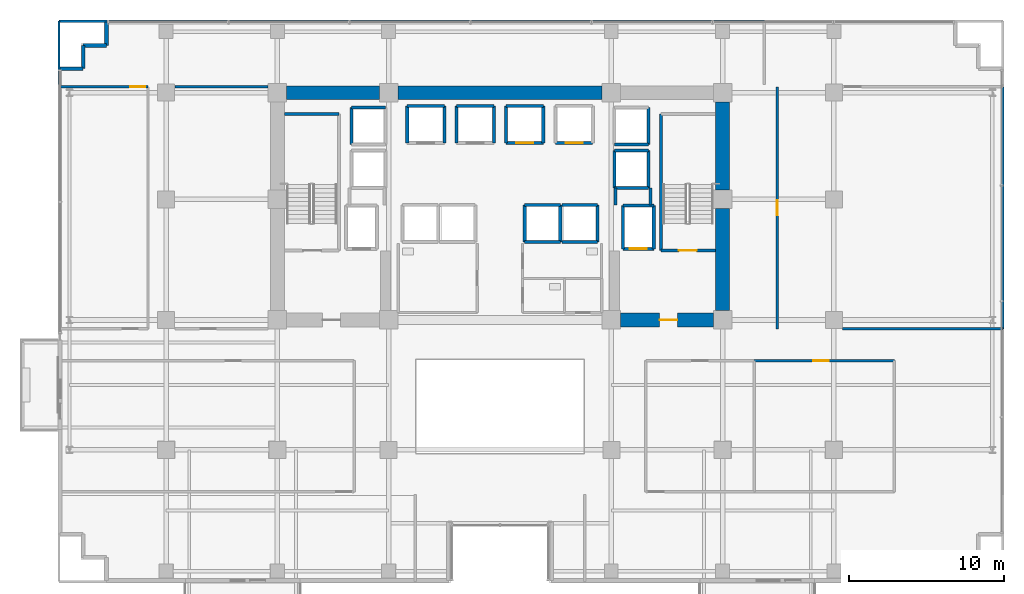
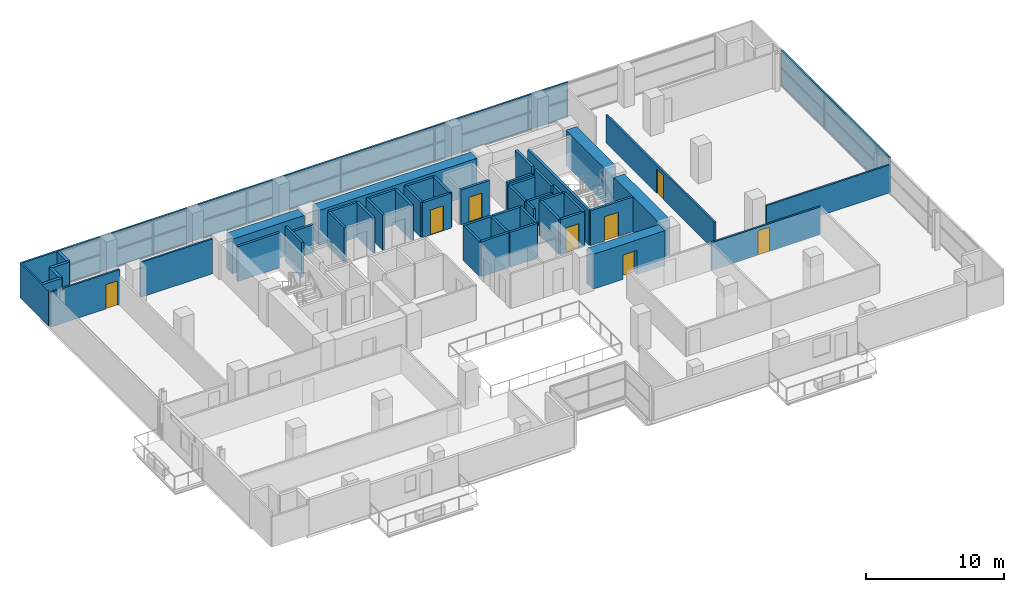
# One storey, part 26 of 31: 52 walls, 8 doors, 8 openings.
"""IFC4 building model written with IfcOpenShell, lengths in metres."""

from ifc_helpers import new_model, si_unit, direction, frame, frame_2d, origin, place, context, subcontext, project, spatial, rectangle, extrude, source, transform, mapped, material, layer, layer_set, type_object, element, fill, save


model = new_model("IFC4")

# Units and contexts
model_context = context("Model", 3, precision=1e-05, world=origin(), true_north=direction((0.0, 1.0)))
body_context = subcontext(model_context, "Body", "Model", "MODEL_VIEW")
ifc_project = project(units=[si_unit("LENGTHUNIT", "METRE"), si_unit("AREAUNIT", "SQUARE_METRE"), si_unit("VOLUMEUNIT", "CUBIC_METRE"), si_unit("PLANEANGLEUNIT", "RADIAN"), si_unit("MASSUNIT", "GRAM", prefix="KILO")], contexts=[model_context])

# Site, building, storey
site_placement = place(None, origin())
site = spatial("IfcSite", under=ifc_project, at=site_placement, CompositionType="ELEMENT")
building_placement = place(site_placement, origin())
building = spatial("IfcBuilding", under=site, at=building_placement, Name="Zarnakvel Exchange Tower", CompositionType="ELEMENT")
storey_placement = place(building_placement, frame((0.0, 0.0, 60.39990234375)))
storey = spatial("IfcBuildingStorey", under=building, at=storey_placement, Name="L16", CompositionType="ELEMENT", Elevation=60.39990234375)

# Walls
ifc_material_1 = material(Name="Concrete C80/95", Category="concrete")
ifc_layer_1 = layer(ifc_material_1, 0.89990234375)
ifc_layer_set_1 = layer_set([ifc_layer_1], Name="Concrete C80/95")
wall_type_1 = type_object("IfcWallType", Name="CW-C1", PredefinedType="SHEAR", material=ifc_layer_set_1)
wall_1_placement = place(storey_placement, frame((-13.800048828125, 13.5, 0.0), z_axis=(0.0, 0.0, 1.0), x_axis=(1.0, 0.0, 0.0)))
element("IfcWall", 1, at=wall_1_placement, inside=storey, type_object=wall_type_1, Name="L16 Rear Core Shear Wall N1 (CW-C1)", PredefinedType="SHEAR", context=body_context, shape_type="SweptSolid", body=[
    extrude(rectangle(XDim=6.0, YDim=0.89990234375, at=frame_2d((3.0, 0.0))), origin(), (0.0, 0.0, 1.0), 3.0751953125),
])
wall_2_placement = place(storey_placement, frame((-6.60009765625, 13.5, 0.0), z_axis=(0.0, 0.0, 1.0), x_axis=(1.0, 0.0, 0.0)))
element("IfcWall", 2, at=wall_2_placement, inside=storey, type_object=wall_type_1, Name="L16 Rear Core Shear Wall N2 (CW-C1)", PredefinedType="SHEAR", context=body_context, shape_type="SweptSolid", body=[
    extrude(rectangle(XDim=13.2001953125, YDim=0.89990234375, at=frame_2d((6.60009765625, 0.0))), origin(), (0.0, 0.0, 1.0), 3.0751953125),
])
wall_3_placement = place(storey_placement, frame((14.39990234375, -0.60009765625, 0.0), z_axis=(0.0, 0.0, 1.0), x_axis=(0.0, 1.0, 0.0)))
element("IfcWall", 3, at=wall_3_placement, inside=storey, type_object=wall_type_1, Name="L16 Rear Core Shear Wall E1 (CW-C1)", PredefinedType="SHEAR", context=body_context, shape_type="SweptSolid", body=[
    extrude(rectangle(XDim=6.60009765625, YDim=0.89990234375, at=frame_2d((3.300048828125, 0.0))), origin(), (0.0, 0.0, 1.0), 3.0751953125),
])
wall_4_placement = place(storey_placement, frame((14.39990234375, 7.199951171875, 0.0), z_axis=(0.0, 0.0, 1.0), x_axis=(0.0, 1.0, 0.0)))
element("IfcWall", 4, at=wall_4_placement, inside=storey, type_object=wall_type_1, Name="L16 Rear Core Shear Wall E2 (CW-C1)", PredefinedType="SHEAR", context=body_context, shape_type="SweptSolid", body=[
    extrude(rectangle(XDim=5.699951171875, YDim=0.89990234375, at=frame_2d((2.85009765625, 0.0))), origin(), (0.0, 0.0, 1.0), 3.0751953125),
])

# Wall, opening, door
wall_5_placement = place(storey_placement, frame((13.800048828125, -1.199951171875, 0.0), z_axis=(0.0, 0.0, 1.0), x_axis=(-1.0, 0.0, 0.0)))
wall_5 = element("IfcWall", 5, at=wall_5_placement, inside=storey, type_object=wall_type_1, Name="L16 Rear Core Shear Wall SE (CW-C1)", PredefinedType="SHEAR", context=body_context, shape_type="SweptSolid", body=[
    extrude(rectangle(XDim=6.0, YDim=0.89990234375, at=frame_2d((3.0, 0.0))), origin(), (0.0, 0.0, 1.0), 3.0751953125),
])
opening_1_placement = place(wall_5_placement, frame((2.324951171875, 0.0, 0.0)))
opening_1 = element("IfcOpeningElement", 6, at=opening_1_placement, cuts=wall_5, Name="Opening D-L16-04", PredefinedType="OPENING", context=body_context, shape_type="SweptSolid", body=[
    extrude(rectangle(XDim=1.14990234375, YDim=2.14990234375, at=frame_2d((0.574951171875, 1.074951171875))), frame((0.0, 0.4599609375, 0.0), z_axis=(0.0, -1.0, 0.0), x_axis=(1.0, 0.0, 0.0)), (0.0, 0.0, 1.0), 0.919921875),
])
ifc_material_2 = material(Name="Painted Galvanised Steel S355", Category="steel")
door_type_1 = type_object("IfcDoorType", Name="DT-04", OperationType="NOTDEFINED", PredefinedType="DOOR", material=ifc_material_2)
shared_shape_1 = source(origin(), body_context, "Body", "SweptSolid", [
    extrude(rectangle(XDim=1.14990234375, YDim=2.14990234375, at=frame_2d((0.574951171875, 1.074951171875))), frame((0.0, 0.02490234375, 0.0), z_axis=(0.0, -1.0, 0.0), x_axis=(1.0, 0.0, 0.0)), (0.0, 0.0, 1.0), 0.050048828125),
])
door_1_placement = place(opening_1_placement, origin())
door_1 = element("IfcDoor", 7, at=door_1_placement, inside=storey, type_object=door_type_1, Name="L16 Firefighting Lobby East Door D-L16-04", OperationType="SINGLE_SWING_RIGHT", OverallHeight=2.14990234375, OverallWidth=1.14990234375, PredefinedType="DOOR", context=body_context, shape_type="MappedRepresentation", body=[
    mapped(shared_shape_1, transform((0.0, 0.0, 0.0), x_axis=(1.0, 0.0, 0.0), y_axis=(0.0, 1.0, 0.0), z_axis=(0.0, 0.0, 1.0), scale=1.0)),
])
fill(opening_1, door_1)

# Walls
ifc_material_3 = material(Name="Precast concrete C40/50", Category="concrete")
ifc_layer_2 = layer(ifc_material_3, 0.239990234375)
ifc_layer_set_2 = layer_set([ifc_layer_2], Name="Precast concrete C40/50")
wall_type_2 = type_object("IfcWallType", Name="EW-02", PredefinedType="SOLIDWALL", material=ifc_layer_set_2)
for number, where, z_axis, x_axis, name in (
    (8, (-26.9599609375, 15.06005859375, 0.0), (0.0, 0.0, 1.0), (-1.0, 0.0, 0.0), "L16 Exterior Precast Spandrel Wall EWC-L16-03 (EW-02)"),
    (9, (-26.9599609375, 16.56005859375, 0.0), (0.0, 0.0, 1.0), (0.0, -1.0, 0.0), "L16 Exterior Precast Spandrel Wall EWC-L16-04 (EW-02)"),
    (10, (-25.4599609375, 16.56005859375, 0.0), (0.0, 0.0, 1.0), (-1.0, 0.0, 0.0), "L16 Exterior Precast Spandrel Wall EWC-L16-05 (EW-02)"),
    (11, (-25.4599609375, 18.06005859375, 0.0), (0.0, 0.0, 1.0), (0.0, -1.0, 0.0), "L16 Exterior Precast Spandrel Wall EWC-L16-06 (EW-02)"),
):
    element("IfcWall", number, at=place(storey_placement, frame(where, z_axis=z_axis, x_axis=x_axis)), inside=storey, type_object=wall_type_2, Name=name, PredefinedType="SOLIDWALL", context=body_context, shape_type="SweptSolid", body=[
        extrude(rectangle(XDim=1.5, YDim=0.239990234375, at=frame_2d((0.75, 0.0))), origin(), (0.0, 0.0, 1.0), 3.0751953125),
    ])

# Wall, opening, door
ifc_material_4 = material(Name="Fire-Rated Gypsum Stud Partition", Category="gypsum")
ifc_layer_3 = layer(ifc_material_4, 0.14990234375)
ifc_layer_set_3 = layer_set([ifc_layer_3], Name="Fire-Rated Gypsum Stud Partition")
wall_type_3 = type_object("IfcWallType", Name="PT-01", PredefinedType="PARTITIONING", material=ifc_layer_set_3)
wall_6_placement = place(storey_placement, frame((16.444580078125, -3.830078125, 0.0), z_axis=(0.0, 0.0, 1.0), x_axis=(1.0, 0.0, 0.0)))
wall_6 = element("IfcWall", 12, at=wall_6_placement, inside=storey, type_object=wall_type_3, Name="L16 Partition Wall PWALL-L16-034 (PT-01)", PredefinedType="PARTITIONING", context=body_context, shape_type="SweptSolid", body=[
    extrude(rectangle(XDim=9.07080078125, YDim=0.14990234375, at=frame_2d((4.535400390625, 0.0))), origin(), (0.0, 0.0, 1.0), 2.465087890625),
])
opening_2_placement = place(wall_6_placement, frame((3.827392578125, 0.0, 0.0)))
opening_2 = element("IfcOpeningElement", 13, at=opening_2_placement, cuts=wall_6, Name="Opening D-L16-12", PredefinedType="OPENING", context=body_context, shape_type="SweptSolid", body=[
    extrude(rectangle(XDim=0.97998046875, YDim=2.14990234375, at=frame_2d((0.489990234375, 1.074951171875))), frame((0.0, 0.0849609375, 0.0), z_axis=(0.0, -1.0, 0.0), x_axis=(1.0, 0.0, 0.0)), (0.0, 0.0, 1.0), 0.169921875),
])
ifc_material_5 = material(Name="Timber Acoustic Veneer", Category="wood")
door_type_2 = type_object("IfcDoorType", Name="DT-05", OperationType="NOTDEFINED", PredefinedType="DOOR", material=ifc_material_5)
shared_shape_2 = source(origin(), body_context, "Body", "SweptSolid", [
    extrude(rectangle(XDim=0.97998046875, YDim=2.14990234375, at=frame_2d((0.489990234375, 1.074951171875))), frame((0.0, 0.02490234375, 0.0), z_axis=(0.0, -1.0, 0.0), x_axis=(1.0, 0.0, 0.0)), (0.0, 0.0, 1.0), 0.050048828125),
])
door_2_placement = place(opening_2_placement, origin())
door_2 = element("IfcDoor", 14, at=door_2_placement, inside=storey, type_object=door_type_2, Name="L16 Boardroom Door D-L16-12", OperationType="SINGLE_SWING_RIGHT", OverallHeight=2.14990234375, OverallWidth=0.97998046875, PredefinedType="DOOR", context=body_context, shape_type="MappedRepresentation", body=[
    mapped(shared_shape_2, transform((0.0, 0.0, 0.0), x_axis=(1.0, 0.0, 0.0), y_axis=(0.0, 1.0, 0.0), z_axis=(0.0, 0.0, 1.0), scale=1.0)),
])
fill(opening_2, door_2)

wall_7_placement = place(storey_placement, frame((-28.530029296875, 13.8798828125, 0.0), z_axis=(0.0, 0.0, 1.0), x_axis=(1.0, 0.0, 0.0)))
wall_7 = element("IfcWall", 15, at=wall_7_placement, inside=storey, type_object=wall_type_3, Name="L16 Partition Wall PWALL-L16-040 (PT-01)", PredefinedType="PARTITIONING", context=body_context, shape_type="SweptSolid", body=[
    extrude(rectangle(XDim=5.761474609375, YDim=0.14990234375, at=frame_2d((2.880859375, 0.0))), origin(), (0.0, 0.0, 1.0), 3.0751953125),
])
opening_3_placement = place(wall_7_placement, frame((4.6015625, 0.0, 0.0)))
opening_3 = element("IfcOpeningElement", 16, at=opening_3_placement, cuts=wall_7, Name="Opening D-L16-17", PredefinedType="OPENING", context=body_context, shape_type="SweptSolid", body=[
    extrude(rectangle(XDim=0.97998046875, YDim=2.14990234375, at=frame_2d((0.489990234375, 1.074951171875))), frame((0.0, 0.0849609375, 0.0), z_axis=(0.0, -1.0, 0.0), x_axis=(1.0, 0.0, 0.0)), (0.0, 0.0, 1.0), 0.169921875),
])
door_3_placement = place(opening_3_placement, origin())
door_3 = element("IfcDoor", 17, at=door_3_placement, inside=storey, type_object=door_type_2, Name="L16 Fintech Workspace Door D-L16-17", OperationType="SINGLE_SWING_LEFT", OverallHeight=2.14990234375, OverallWidth=0.97998046875, PredefinedType="DOOR", context=body_context, shape_type="MappedRepresentation", body=[
    mapped(shared_shape_2, transform((0.0, 0.0, 0.0), x_axis=(1.0, 0.0, 0.0), y_axis=(0.0, 1.0, 0.0), z_axis=(0.0, 0.0, 1.0), scale=1.0)),
])
fill(opening_3, door_3)

# Walls
wall_8_placement = place(storey_placement, frame((-21.030029296875, 13.8798828125, 0.0), z_axis=(0.0, 0.0, 1.0), x_axis=(1.0, 0.0, 0.0)))
element("IfcWall", 18, at=wall_8_placement, inside=storey, type_object=wall_type_3, Name="L16 Partition Wall PWALL-L16-044 (PT-01)", PredefinedType="PARTITIONING", context=body_context, shape_type="SweptSolid", body=[
    extrude(rectangle(XDim=6.010009765625, YDim=0.14990234375, at=frame_2d((3.0048828125, 0.0))), origin(), (0.0, 0.0, 1.0), 3.0751953125),
])
wall_9_placement = place(storey_placement, frame((32.530029296875, -1.77001953125, 0.0), z_axis=(0.0, 0.0, 1.0), x_axis=(-1.0, 0.0, 0.0)))
element("IfcWall", 19, at=wall_9_placement, inside=storey, type_object=wall_type_3, Name="L16 Partition Wall PWALL-L16-045 (PT-01)", PredefinedType="PARTITIONING", context=body_context, shape_type="SweptSolid", body=[
    extrude(rectangle(XDim=10.360107421875, YDim=0.14990234375, at=frame_2d((5.18017578125, 0.0))), origin(), (0.0, 0.0, 1.0), 2.465087890625),
])

# Wall, opening, door
wall_10_placement = place(storey_placement, frame((17.929931640625, -1.77001953125, 0.0), z_axis=(0.0, 0.0, 1.0), x_axis=(0.0, 1.0, 0.0)))
wall_10 = element("IfcWall", 20, at=wall_10_placement, inside=storey, type_object=wall_type_3, Name="L16 Partition Wall PWALL-L16-047 (PT-01)", PredefinedType="PARTITIONING", context=body_context, shape_type="SweptSolid", body=[
    extrude(rectangle(XDim=15.64990234375, YDim=0.14990234375, at=frame_2d((7.824951171875, 0.0))), origin(), (0.0, 0.0, 1.0), 2.465087890625),
])
opening_4_placement = place(wall_10_placement, frame((7.3349609375, 0.0, 0.0)))
opening_4 = element("IfcOpeningElement", 21, at=opening_4_placement, cuts=wall_10, Name="Opening D-L16-16", PredefinedType="OPENING", context=body_context, shape_type="SweptSolid", body=[
    extrude(rectangle(XDim=0.97998046875, YDim=2.14990234375, at=frame_2d((0.489990234375, 1.074951171875))), frame((0.0, 0.0849609375, 0.0), z_axis=(0.0, -1.0, 0.0), x_axis=(1.0, 0.0, 0.0)), (0.0, 0.0, 1.0), 0.169921875),
])
door_4_placement = place(opening_4_placement, origin())
door_4 = element("IfcDoor", 22, at=door_4_placement, inside=storey, type_object=door_type_2, Name="L16 Tea Pantry Door D-L16-16", OperationType="SINGLE_SWING_RIGHT", OverallHeight=2.14990234375, OverallWidth=0.97998046875, PredefinedType="DOOR", context=body_context, shape_type="MappedRepresentation", body=[
    mapped(shared_shape_2, transform((0.0, 0.0, 0.0), x_axis=(1.0, 0.0, 0.0), y_axis=(0.0, 1.0, 0.0), z_axis=(0.0, 0.0, 1.0), scale=1.0)),
])
fill(opening_4, door_4)

# Walls
wall_11_placement = place(storey_placement, frame((32.530029296875, 13.8798828125, 0.0), z_axis=(0.0, 0.0, 1.0), x_axis=(0.0, -1.0, 0.0)))
element("IfcWall", 23, at=wall_11_placement, inside=storey, type_object=wall_type_3, Name="L16 Partition Wall PWALL-L16-048 (PT-01)", PredefinedType="PARTITIONING", context=body_context, shape_type="SweptSolid", body=[
    extrude(rectangle(XDim=15.64990234375, YDim=0.14990234375, at=frame_2d((7.824951171875, 0.0))), origin(), (0.0, 0.0, 1.0), 3.0751953125),
])
wall_12_placement = place(storey_placement, frame((-28.530029296875, 18.1298828125, 0.0), z_axis=(0.0, 0.0, 1.0), x_axis=(1.0, 0.0, 0.0)))
element("IfcWall", 24, at=wall_12_placement, inside=storey, type_object=wall_type_3, Name="L16 Partition Wall PWALL-L16-049 (PT-01)", PredefinedType="PARTITIONING", context=body_context, shape_type="SweptSolid", body=[
    extrude(rectangle(XDim=45.630126953125, YDim=0.14990234375, at=frame_2d((22.81494140625, 0.0))), origin(), (0.0, 0.0, 1.0), 3.0751953125),
])
wall_13_placement = place(storey_placement, frame((-28.530029296875, 14.030029296875, 0.0), z_axis=(0.0, 0.0, 1.0), x_axis=(0.0, 1.0, 0.0)))
element("IfcWall", 25, at=wall_13_placement, inside=storey, type_object=wall_type_3, Name="L16 Partition Wall PWALL-L16-050 (PT-01)", PredefinedType="PARTITIONING", context=body_context, shape_type="SweptSolid", body=[
    extrude(rectangle(XDim=4.099853515625, YDim=0.14990234375, at=frame_2d((2.0498046875, 0.0))), origin(), (0.0, 0.0, 1.0), 3.0751953125),
])
ifc_layer_4 = layer(ifc_material_4, 0.179931640625)
ifc_layer_set_4 = layer_set([ifc_layer_4], Name="Fire-Rated Gypsum Stud Partition")
wall_type_4 = type_object("IfcWallType", Name="PT-02", PredefinedType="PARTITIONING", material=ifc_layer_set_4)
wall_14_placement = place(storey_placement, frame((7.469970703125, 6.239990234375, 0.0), z_axis=(0.0, 0.0, 1.0), x_axis=(0.0, 1.0, 0.0)))
element("IfcWall", 26, at=wall_14_placement, inside=storey, type_object=wall_type_4, Name="L16 Partition Wall PWALL-L16-009 (PT-02)", PredefinedType="PARTITIONING", context=body_context, shape_type="SweptSolid", body=[
    extrude(rectangle(XDim=1.090087890625, YDim=0.179931640625, at=frame_2d((0.544921875, 0.0))), origin(), (0.0, 0.0, 1.0), 2.465087890625),
])
wall_15_placement = place(storey_placement, frame((9.72998046875, 7.330078125, 0.0), z_axis=(0.0, 0.0, 1.0), x_axis=(0.0, -1.0, 0.0)))
element("IfcWall", 27, at=wall_15_placement, inside=storey, type_object=wall_type_4, Name="L16 Partition Wall PWALL-L16-010 (PT-02)", PredefinedType="PARTITIONING", context=body_context, shape_type="SweptSolid", body=[
    extrude(rectangle(XDim=1.090087890625, YDim=0.179931640625, at=frame_2d((0.544921875, 0.0))), origin(), (0.0, 0.0, 1.0), 3.0751953125),
])

# Wall, opening, door
ifc_material_6 = material(Name="Concrete C40/50", Category="concrete")
ifc_layer_5 = layer(ifc_material_6, 0.199951171875)
ifc_layer_set_5 = layer_set([ifc_layer_5], Name="Concrete C40/50")
wall_type_5 = type_object("IfcWallType", Name="SW-01", PredefinedType="SOLIDWALL", material=ifc_layer_set_5)
wall_16_placement = place(storey_placement, frame((9.949951171875, 3.39990234375, 0.0), z_axis=(0.0, 0.0, 1.0), x_axis=(-1.0, 0.0, 0.0)))
wall_16 = element("IfcWall", 28, at=wall_16_placement, inside=storey, type_object=wall_type_5, Name="L16 FL-02 Hoistway Wall South", PredefinedType="SOLIDWALL", context=body_context, shape_type="SweptSolid", body=[
    extrude(rectangle(XDim=2.0, YDim=0.199951171875, at=frame_2d((1.0, 0.0))), origin(), (0.0, 0.0, 1.0), 3.0751953125),
])
opening_5_placement = place(wall_16_placement, frame((0.449951171875, 0.0, 0.0)))
opening_5 = element("IfcOpeningElement", 29, at=opening_5_placement, cuts=wall_16, Name="Opening LD-FL-02-L16", PredefinedType="OPENING", context=body_context, shape_type="SweptSolid", body=[
    extrude(rectangle(XDim=1.10009765625, YDim=2.199951171875, at=frame_2d((0.550048828125, 1.10009765625))), frame((0.0, 0.10986328125, 0.0), z_axis=(0.0, -1.0, 0.0), x_axis=(1.0, 0.0, 0.0)), (0.0, 0.0, 1.0), 0.219970703125),
])
ifc_material_7 = material(Name="Brushed Stainless Steel", Category="steel")
door_type_3 = type_object("IfcDoorType", Name="LDT-01", OperationType="NOTDEFINED", PredefinedType="DOOR", material=ifc_material_7)
shared_shape_3 = source(origin(), body_context, "Body", "SweptSolid", [
    extrude(rectangle(XDim=1.10009765625, YDim=2.199951171875, at=frame_2d((0.550048828125, 1.10009765625))), frame((0.0, 0.02490234375, 0.0), z_axis=(0.0, -1.0, 0.0), x_axis=(1.0, 0.0, 0.0)), (0.0, 0.0, 1.0), 0.050048828125),
])
door_5_placement = place(opening_5_placement, origin())
door_5 = element("IfcDoor", 30, at=door_5_placement, inside=storey, type_object=door_type_3, Name="L16 FL-02 Lift Landing Door LD-FL-02-L16", OperationType="DOUBLE_DOOR_SLIDING", OverallHeight=2.199951171875, OverallWidth=1.10009765625, PredefinedType="DOOR", context=body_context, shape_type="MappedRepresentation", body=[
    mapped(shared_shape_3, transform((0.0, 0.0, 0.0), x_axis=(1.0, 0.0, 0.0), y_axis=(0.0, 1.0, 0.0), z_axis=(0.0, 0.0, 1.0), scale=1.0)),
])
fill(opening_5, door_5)

# Walls
wall_17_placement = place(storey_placement, frame((7.949951171875, 6.199951171875, 0.0), z_axis=(0.0, 0.0, 1.0), x_axis=(1.0, 0.0, 0.0)))
element("IfcWall", 31, at=wall_17_placement, inside=storey, type_object=wall_type_5, Name="L16 FL-02 Hoistway Wall North", PredefinedType="SOLIDWALL", context=body_context, shape_type="SweptSolid", body=[
    extrude(rectangle(XDim=2.0, YDim=0.199951171875, at=frame_2d((1.0, 0.0))), origin(), (0.0, 0.0, 1.0), 3.0751953125),
])
for number, where, z_axis, x_axis, name in (
    (32, (7.949951171875, 3.39990234375, 0.0), (0.0, 0.0, 1.0), (0.0, 1.0, 0.0), "L16 FL-02 Hoistway Wall West"),
    (33, (9.949951171875, 6.199951171875, 0.0), (0.0, 0.0, 1.0), (0.0, -1.0, 0.0), "L16 FL-02 Hoistway Wall East"),
):
    element("IfcWall", number, at=place(storey_placement, frame(where, z_axis=z_axis, x_axis=x_axis)), inside=storey, type_object=wall_type_5, Name=name, PredefinedType="SOLIDWALL", context=body_context, shape_type="SweptSolid", body=[
        extrude(rectangle(XDim=2.800048828125, YDim=0.199951171875, at=frame_2d((1.39990234375, 0.0))), origin(), (0.0, 0.0, 1.0), 3.0751953125),
    ])
for number, where, z_axis, x_axis, name in (
    (34, (-6.0, 12.64990234375, 0.0), (0.0, 0.0, 1.0), (1.0, 0.0, 0.0), "L16 PL-01 Hoistway Wall North"),
    (35, (-6.0, 10.25, 0.0), (0.0, 0.0, 1.0), (0.0, 1.0, 0.0), "L16 PL-01 Hoistway Wall West"),
    (36, (-3.60009765625, 12.64990234375, 0.0), (0.0, 0.0, 1.0), (0.0, -1.0, 0.0), "L16 PL-01 Hoistway Wall East"),
):
    element("IfcWall", number, at=place(storey_placement, frame(where, z_axis=z_axis, x_axis=x_axis)), inside=storey, type_object=wall_type_5, Name=name, PredefinedType="SOLIDWALL", context=body_context, shape_type="SweptSolid", body=[
        extrude(rectangle(XDim=2.39990234375, YDim=0.199951171875, at=frame_2d((1.199951171875, 0.0))), origin(), (0.0, 0.0, 1.0), 3.0751953125),
    ])
wall_18_placement = place(storey_placement, frame((-2.800048828125, 12.64990234375, 0.0), z_axis=(0.0, 0.0, 1.0), x_axis=(1.0, 0.0, 0.0)))
element("IfcWall", 37, at=wall_18_placement, inside=storey, type_object=wall_type_5, Name="L16 PL-02 Hoistway Wall North", PredefinedType="SOLIDWALL", context=body_context, shape_type="SweptSolid", body=[
    extrude(rectangle(XDim=2.400146484375, YDim=0.199951171875, at=frame_2d((1.2001953125, 0.0))), origin(), (0.0, 0.0, 1.0), 3.0751953125),
])
for number, where, z_axis, x_axis, name in (
    (38, (-2.800048828125, 10.25, 0.0), (0.0, 0.0, 1.0), (0.0, 1.0, 0.0), "L16 PL-02 Hoistway Wall West"),
    (39, (-0.39990234375, 12.64990234375, 0.0), (0.0, 0.0, 1.0), (0.0, -1.0, 0.0), "L16 PL-02 Hoistway Wall East"),
):
    element("IfcWall", number, at=place(storey_placement, frame(where, z_axis=z_axis, x_axis=x_axis)), inside=storey, type_object=wall_type_5, Name=name, PredefinedType="SOLIDWALL", context=body_context, shape_type="SweptSolid", body=[
        extrude(rectangle(XDim=2.39990234375, YDim=0.199951171875, at=frame_2d((1.199951171875, 0.0))), origin(), (0.0, 0.0, 1.0), 3.0751953125),
    ])

# Wall, opening, door
wall_19_placement = place(storey_placement, frame((2.800048828125, 10.25, 0.0), z_axis=(0.0, 0.0, 1.0), x_axis=(-1.0, 0.0, 0.0)))
wall_19 = element("IfcWall", 40, at=wall_19_placement, inside=storey, type_object=wall_type_5, Name="L16 PL-03 Hoistway Wall South", PredefinedType="SOLIDWALL", context=body_context, shape_type="SweptSolid", body=[
    extrude(rectangle(XDim=2.400146484375, YDim=0.199951171875, at=frame_2d((1.2001953125, 0.0))), origin(), (0.0, 0.0, 1.0), 3.0751953125),
])
opening_6_placement = place(wall_19_placement, frame((0.64990234375, 0.0, 0.0)))
opening_6 = element("IfcOpeningElement", 41, at=opening_6_placement, cuts=wall_19, Name="Opening LD-PL-03-L16", PredefinedType="OPENING", context=body_context, shape_type="SweptSolid", body=[
    extrude(rectangle(XDim=1.10009765625, YDim=2.199951171875, at=frame_2d((0.550048828125, 1.10009765625))), frame((0.0, 0.10986328125, 0.0), z_axis=(0.0, -1.0, 0.0), x_axis=(1.0, 0.0, 0.0)), (0.0, 0.0, 1.0), 0.219970703125),
])
ifc_material_8 = material(Name="Architectural Bronze Anodised Aluminium", Category="aluminium")
door_type_4 = type_object("IfcDoorType", Name="LDT-02", OperationType="NOTDEFINED", PredefinedType="DOOR", material=ifc_material_8)
door_6_placement = place(opening_6_placement, origin())
door_6 = element("IfcDoor", 42, at=door_6_placement, inside=storey, type_object=door_type_4, Name="L16 PL-03 Lift Landing Door LD-PL-03-L16", OperationType="DOUBLE_DOOR_SLIDING", OverallHeight=2.199951171875, OverallWidth=1.10009765625, PredefinedType="DOOR", context=body_context, shape_type="MappedRepresentation", body=[
    mapped(shared_shape_3, transform((0.0, 0.0, 0.0), x_axis=(1.0, 0.0, 0.0), y_axis=(0.0, 1.0, 0.0), z_axis=(0.0, 0.0, 1.0), scale=1.0)),
])
fill(opening_6, door_6)

# Walls
wall_20_placement = place(storey_placement, frame((0.39990234375, 12.64990234375, 0.0), z_axis=(0.0, 0.0, 1.0), x_axis=(1.0, 0.0, 0.0)))
element("IfcWall", 43, at=wall_20_placement, inside=storey, type_object=wall_type_5, Name="L16 PL-03 Hoistway Wall North", PredefinedType="SOLIDWALL", context=body_context, shape_type="SweptSolid", body=[
    extrude(rectangle(XDim=2.400146484375, YDim=0.199951171875, at=frame_2d((1.2001953125, 0.0))), origin(), (0.0, 0.0, 1.0), 3.0751953125),
])
for number, where, z_axis, x_axis, name in (
    (44, (0.39990234375, 10.25, 0.0), (0.0, 0.0, 1.0), (0.0, 1.0, 0.0), "L16 PL-03 Hoistway Wall West"),
    (45, (2.800048828125, 12.64990234375, 0.0), (0.0, 0.0, 1.0), (0.0, -1.0, 0.0), "L16 PL-03 Hoistway Wall East"),
):
    element("IfcWall", number, at=place(storey_placement, frame(where, z_axis=z_axis, x_axis=x_axis)), inside=storey, type_object=wall_type_5, Name=name, PredefinedType="SOLIDWALL", context=body_context, shape_type="SweptSolid", body=[
        extrude(rectangle(XDim=2.39990234375, YDim=0.199951171875, at=frame_2d((1.199951171875, 0.0))), origin(), (0.0, 0.0, 1.0), 3.0751953125),
    ])

# Wall, opening, door
wall_21_placement = place(storey_placement, frame((6.0, 10.25, 0.0), z_axis=(0.0, 0.0, 1.0), x_axis=(-1.0, 0.0, 0.0)))
wall_21 = element("IfcWall", 46, at=wall_21_placement, inside=storey, type_object=wall_type_5, Name="L16 PL-04 Hoistway Wall South", PredefinedType="SOLIDWALL", context=body_context, shape_type="SweptSolid", body=[
    extrude(rectangle(XDim=2.39990234375, YDim=0.199951171875, at=frame_2d((1.199951171875, 0.0))), origin(), (0.0, 0.0, 1.0), 3.0751953125),
])
opening_7_placement = place(wall_21_placement, frame((0.64990234375, 0.0, 0.0)))
opening_7 = element("IfcOpeningElement", 47, at=opening_7_placement, cuts=wall_21, Name="Opening LD-PL-04-L16", PredefinedType="OPENING", context=body_context, shape_type="SweptSolid", body=[
    extrude(rectangle(XDim=1.10009765625, YDim=2.199951171875, at=frame_2d((0.550048828125, 1.10009765625))), frame((0.0, 0.10986328125, 0.0), z_axis=(0.0, -1.0, 0.0), x_axis=(1.0, 0.0, 0.0)), (0.0, 0.0, 1.0), 0.219970703125),
])
door_7_placement = place(opening_7_placement, origin())
door_7 = element("IfcDoor", 48, at=door_7_placement, inside=storey, type_object=door_type_4, Name="L16 PL-04 Lift Landing Door LD-PL-04-L16", OperationType="DOUBLE_DOOR_SLIDING", OverallHeight=2.199951171875, OverallWidth=1.10009765625, PredefinedType="DOOR", context=body_context, shape_type="MappedRepresentation", body=[
    mapped(shared_shape_3, transform((0.0, 0.0, 0.0), x_axis=(1.0, 0.0, 0.0), y_axis=(0.0, 1.0, 0.0), z_axis=(0.0, 0.0, 1.0), scale=1.0)),
])
fill(opening_7, door_7)

# Walls
for number, where, z_axis, x_axis, name in (
    (49, (3.89990234375, 3.85009765625, 0.0), (0.0, 0.0, 1.0), (-1.0, 0.0, 0.0), "L16 PL-07 Hoistway Wall South"),
    (50, (1.60009765625, 6.25, 0.0), (0.0, 0.0, 1.0), (1.0, 0.0, 0.0), "L16 PL-07 Hoistway Wall North"),
):
    element("IfcWall", number, at=place(storey_placement, frame(where, z_axis=z_axis, x_axis=x_axis)), inside=storey, type_object=wall_type_5, Name=name, PredefinedType="SOLIDWALL", context=body_context, shape_type="SweptSolid", body=[
        extrude(rectangle(XDim=2.2998046875, YDim=0.199951171875, at=frame_2d((1.14990234375, 0.0))), origin(), (0.0, 0.0, 1.0), 3.0751953125),
    ])
for number, where, z_axis, x_axis, name in (
    (51, (1.60009765625, 3.85009765625, 0.0), (0.0, 0.0, 1.0), (0.0, 1.0, 0.0), "L16 PL-07 Hoistway Wall West"),
    (52, (3.89990234375, 6.25, 0.0), (0.0, 0.0, 1.0), (0.0, -1.0, 0.0), "L16 PL-07 Hoistway Wall East"),
):
    element("IfcWall", number, at=place(storey_placement, frame(where, z_axis=z_axis, x_axis=x_axis)), inside=storey, type_object=wall_type_5, Name=name, PredefinedType="SOLIDWALL", context=body_context, shape_type="SweptSolid", body=[
        extrude(rectangle(XDim=2.39990234375, YDim=0.199951171875, at=frame_2d((1.199951171875, 0.0))), origin(), (0.0, 0.0, 1.0), 3.0751953125),
    ])
for number, where, z_axis, x_axis, name in (
    (53, (6.300048828125, 3.85009765625, 0.0), (0.0, 0.0, 1.0), (-1.0, 0.0, 0.0), "L16 PL-08 Hoistway Wall South"),
    (54, (4.0, 6.25, 0.0), (0.0, 0.0, 1.0), (1.0, 0.0, 0.0), "L16 PL-08 Hoistway Wall North"),
):
    element("IfcWall", number, at=place(storey_placement, frame(where, z_axis=z_axis, x_axis=x_axis)), inside=storey, type_object=wall_type_5, Name=name, PredefinedType="SOLIDWALL", context=body_context, shape_type="SweptSolid", body=[
        extrude(rectangle(XDim=2.300048828125, YDim=0.199951171875, at=frame_2d((1.14990234375, 0.0))), origin(), (0.0, 0.0, 1.0), 3.0751953125),
    ])
wall_22_placement = place(storey_placement, frame((6.300048828125, 6.25, 0.0), z_axis=(0.0, 0.0, 1.0), x_axis=(0.0, -1.0, 0.0)))
element("IfcWall", 55, at=wall_22_placement, inside=storey, type_object=wall_type_5, Name="L16 PL-08 Hoistway Wall East", PredefinedType="SOLIDWALL", context=body_context, shape_type="SweptSolid", body=[
    extrude(rectangle(XDim=2.39990234375, YDim=0.199951171875, at=frame_2d((1.199951171875, 0.0))), origin(), (0.0, 0.0, 1.0), 3.0751953125),
])
wall_23_placement = place(storey_placement, frame((-9.60009765625, 12.550048828125, 0.0), z_axis=(0.0, 0.0, 1.0), x_axis=(1.0, 0.0, 0.0)))
element("IfcWall", 56, at=wall_23_placement, inside=storey, type_object=wall_type_5, Name="L16 PL-10 Hoistway Wall North", PredefinedType="SOLIDWALL", context=body_context, shape_type="SweptSolid", body=[
    extrude(rectangle(XDim=2.2001953125, YDim=0.199951171875, at=frame_2d((1.10009765625, 0.0))), origin(), (0.0, 0.0, 1.0), 2.465087890625),
])
wall_24_placement = place(storey_placement, frame((-9.60009765625, 10.14990234375, 0.0), z_axis=(0.0, 0.0, 1.0), x_axis=(0.0, 1.0, 0.0)))
element("IfcWall", 57, at=wall_24_placement, inside=storey, type_object=wall_type_5, Name="L16 PL-10 Hoistway Wall West", PredefinedType="SOLIDWALL", context=body_context, shape_type="SweptSolid", body=[
    extrude(rectangle(XDim=2.400146484375, YDim=0.199951171875, at=frame_2d((1.2001953125, 0.0))), origin(), (0.0, 0.0, 1.0), 3.0751953125),
])
for number, where, z_axis, x_axis, name in (
    (58, (9.60009765625, 7.35009765625, 0.0), (0.0, 0.0, 1.0), (-1.0, 0.0, 0.0), "L16 PL-11 Hoistway Wall South"),
    (59, (7.39990234375, 9.75, 0.0), (0.0, 0.0, 1.0), (1.0, 0.0, 0.0), "L16 PL-11 Hoistway Wall North"),
):
    element("IfcWall", number, at=place(storey_placement, frame(where, z_axis=z_axis, x_axis=x_axis)), inside=storey, type_object=wall_type_5, Name=name, PredefinedType="SOLIDWALL", context=body_context, shape_type="SweptSolid", body=[
        extrude(rectangle(XDim=2.2001953125, YDim=0.199951171875, at=frame_2d((1.10009765625, 0.0))), origin(), (0.0, 0.0, 1.0), 2.465087890625),
    ])
wall_25_placement = place(storey_placement, frame((7.39990234375, 7.35009765625, 0.0), z_axis=(0.0, 0.0, 1.0), x_axis=(0.0, 1.0, 0.0)))
element("IfcWall", 60, at=wall_25_placement, inside=storey, type_object=wall_type_5, Name="L16 PL-11 Hoistway Wall West", PredefinedType="SOLIDWALL", context=body_context, shape_type="SweptSolid", body=[
    extrude(rectangle(XDim=2.39990234375, YDim=0.199951171875, at=frame_2d((1.199951171875, 0.0))), origin(), (0.0, 0.0, 1.0), 2.465087890625),
])
wall_26_placement = place(storey_placement, frame((9.60009765625, 9.75, 0.0), z_axis=(0.0, 0.0, 1.0), x_axis=(0.0, -1.0, 0.0)))
element("IfcWall", 61, at=wall_26_placement, inside=storey, type_object=wall_type_5, Name="L16 PL-11 Hoistway Wall East", PredefinedType="SOLIDWALL", context=body_context, shape_type="SweptSolid", body=[
    extrude(rectangle(XDim=2.39990234375, YDim=0.199951171875, at=frame_2d((1.199951171875, 0.0))), origin(), (0.0, 0.0, 1.0), 3.0751953125),
])
wall_27_placement = place(storey_placement, frame((9.60009765625, 10.14990234375, 0.0), z_axis=(0.0, 0.0, 1.0), x_axis=(-1.0, 0.0, 0.0)))
element("IfcWall", 62, at=wall_27_placement, inside=storey, type_object=wall_type_5, Name="L16 PL-12 Hoistway Wall South", PredefinedType="SOLIDWALL", context=body_context, shape_type="SweptSolid", body=[
    extrude(rectangle(XDim=2.2001953125, YDim=0.199951171875, at=frame_2d((1.10009765625, 0.0))), origin(), (0.0, 0.0, 1.0), 2.465087890625),
])
wall_28_placement = place(storey_placement, frame((9.60009765625, 12.550048828125, 0.0), z_axis=(0.0, 0.0, 1.0), x_axis=(0.0, -1.0, 0.0)))
element("IfcWall", 63, at=wall_28_placement, inside=storey, type_object=wall_type_5, Name="L16 PL-12 Hoistway Wall East", PredefinedType="SOLIDWALL", context=body_context, shape_type="SweptSolid", body=[
    extrude(rectangle(XDim=2.400146484375, YDim=0.199951171875, at=frame_2d((1.2001953125, 0.0))), origin(), (0.0, 0.0, 1.0), 3.0751953125),
])
ifc_layer_6 = layer(ifc_material_6, 0.199951171875)
ifc_layer_set_6 = layer_set([ifc_layer_6], Name="Concrete C40/50")
wall_type_6 = type_object("IfcWallType", Name="SW-02", PredefinedType="SOLIDWALL", material=ifc_layer_set_6)
wall_29_placement = place(storey_placement, frame((-13.929931640625, 12.1298828125, 0.0), z_axis=(0.0, 0.0, 1.0), x_axis=(1.0, 0.0, 0.0)))
element("IfcWall", 64, at=wall_29_placement, inside=storey, type_object=wall_type_6, Name="L16 Stairwell Core Wall PWALL-L16-002 (SW-02)", PredefinedType="SOLIDWALL", context=body_context, shape_type="SweptSolid", body=[
    extrude(rectangle(XDim=3.52001953125, YDim=0.199951171875, at=frame_2d((1.760009765625, 0.0))), origin(), (0.0, 0.0, 1.0), 3.0751953125),
])

# Wall, opening, door
wall_30_placement = place(storey_placement, frame((13.929931640625, 3.2900390625, 0.0), z_axis=(0.0, 0.0, 1.0), x_axis=(-1.0, 0.0, 0.0)))
wall_30 = element("IfcWall", 65, at=wall_30_placement, inside=storey, type_object=wall_type_6, Name="L16 Stairwell Core Wall PWALL-L16-004 (SW-02)", PredefinedType="SOLIDWALL", context=body_context, shape_type="SweptSolid", body=[
    extrude(rectangle(XDim=3.52001953125, YDim=0.199951171875, at=frame_2d((1.760009765625, 0.0))), origin(), (0.0, 0.0, 1.0), 3.0751953125),
])
opening_8_placement = place(wall_30_placement, frame((1.205078125, 0.0, 0.0)))
opening_8 = element("IfcOpeningElement", 66, at=opening_8_placement, cuts=wall_30, Name="Opening D-L16-02", PredefinedType="OPENING", context=body_context, shape_type="SweptSolid", body=[
    extrude(rectangle(XDim=1.14990234375, YDim=2.14990234375, at=frame_2d((0.574951171875, 1.074951171875))), frame((0.0, 0.10986328125, 0.0), z_axis=(0.0, -1.0, 0.0), x_axis=(1.0, 0.0, 0.0)), (0.0, 0.0, 1.0), 0.219970703125),
])
door_8_placement = place(opening_8_placement, origin())
door_8 = element("IfcDoor", 67, at=door_8_placement, inside=storey, type_object=door_type_1, Name="L16 Stairwell ST-02 Door D-L16-02", OperationType="SINGLE_SWING_RIGHT", OverallHeight=2.14990234375, OverallWidth=1.14990234375, PredefinedType="DOOR", context=body_context, shape_type="MappedRepresentation", body=[
    mapped(shared_shape_1, transform((0.0, 0.0, 0.0), x_axis=(1.0, 0.0, 0.0), y_axis=(0.0, 1.0, 0.0), z_axis=(0.0, 0.0, 1.0), scale=1.0)),
])
fill(opening_8, door_8)

# Wall
wall_31_placement = place(storey_placement, frame((10.409912109375, 3.2900390625, 0.0), z_axis=(0.0, 0.0, 1.0), x_axis=(0.0, 1.0, 0.0)))
element("IfcWall", 68, at=wall_31_placement, inside=storey, type_object=wall_type_6, Name="L16 Stairwell Core Wall PWALL-L16-006 (SW-02)", PredefinedType="SOLIDWALL", context=body_context, shape_type="SweptSolid", body=[
    extrude(rectangle(XDim=8.83984375, YDim=0.199951171875, at=frame_2d((4.419921875, 0.0))), origin(), (0.0, 0.0, 1.0), 3.0751953125),
])

save(model, "model.ifc")
